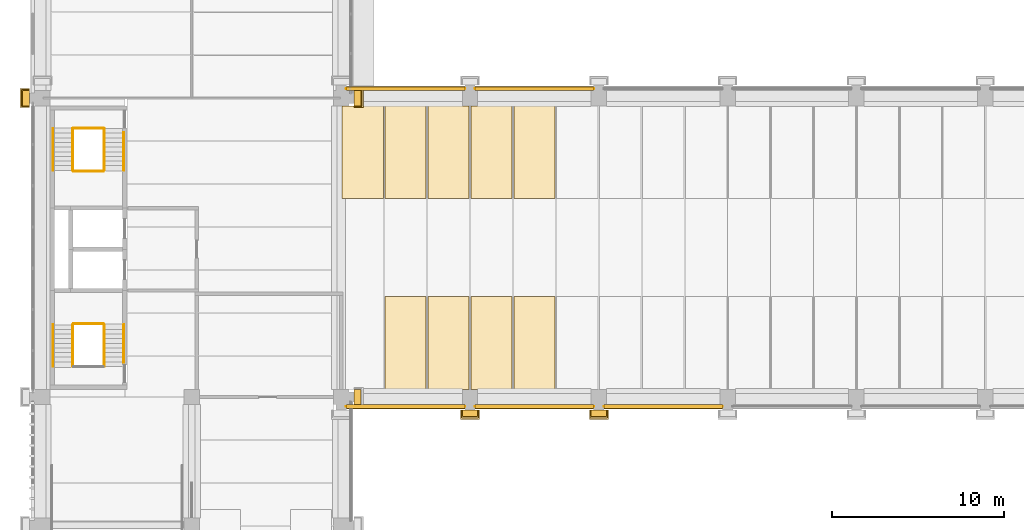
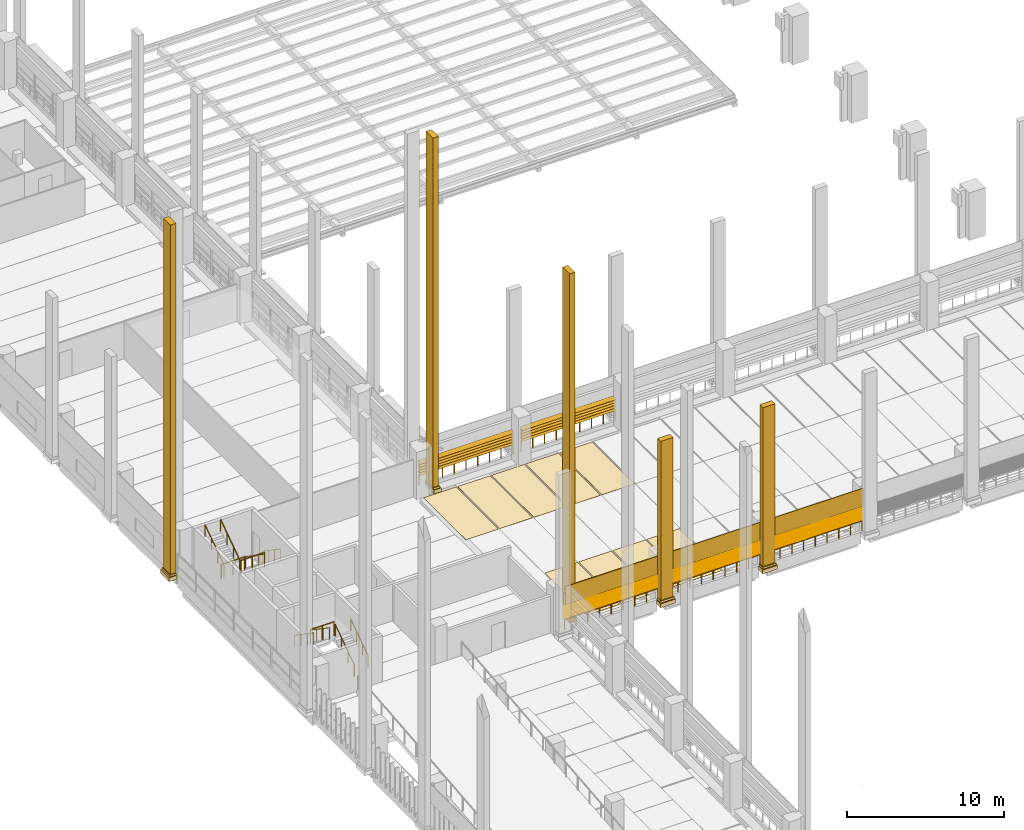
# One storey, part 47 of 67: 25 coverings, 25 shading devices, 16 railings.
"""IFC4 building model written with IfcOpenShell, lengths in metres."""

from ifc_helpers import new_model, si_unit, direction, frame, origin, origin_2d, place, context, subcontext, project, spatial, polyline, circle, outline, extrude, material, layer, layer_set, type_object, element, save


model = new_model("IFC4")

# Units and contexts
model_context = context("Model", 3, precision=1e-05, world=origin(), true_north=direction((0.0, 1.0)))
body_context = subcontext(model_context, "Body", "Model", "MODEL_VIEW")
ifc_project = project(units=[si_unit("LENGTHUNIT", "METRE"), si_unit("AREAUNIT", "SQUARE_METRE"), si_unit("VOLUMEUNIT", "CUBIC_METRE"), si_unit("PLANEANGLEUNIT", "RADIAN"), si_unit("MASSUNIT", "GRAM", prefix="KILO")], contexts=[model_context])

# Site, building, storey
site_placement = place(None, origin())
site = spatial("IfcSite", under=ifc_project, at=site_placement, CompositionType="ELEMENT")
building_placement = place(site_placement, origin())
building = spatial("IfcBuilding", under=site, at=building_placement, Name="Cour d'Honneur Mobility Palace", CompositionType="ELEMENT")
storey_placement = place(building_placement, frame((0.0, 0.0, 4.5)))
storey = spatial("IfcBuildingStorey", under=building, at=storey_placement, Name="L01", CompositionType="ELEMENT", Elevation=4.5)

# Railings
ifc_material_1 = material(Name="Painted steel", Category="steel")
railing_type_1 = type_object("IfcRailingType", Name="Balustrade", PredefinedType="BALUSTRADE", material=ifc_material_1)
for number, where, name in (
    (1, (17.699951171875, 44.449951171875, 0.300048828125), "Balustrade BAL-9"),
    (2, (25.199951171875, 44.449951171875, 0.300048828125), "Balustrade BAL-10"),
    (3, (32.699951171875, 44.449951171875, 0.300048828125), "Balustrade BAL-11"),
):
    element("IfcRailing", number, at=place(storey_placement, frame(where)), inside=storey, type_object=railing_type_1, Name=name, PredefinedType="BALUSTRADE", context=body_context, shape_type="SweptSolid", body=[
        extrude(circle(Radius=0.02392578125, at=origin_2d()), frame((0.0, 0.0, 0.77587890625), z_axis=(1.0, 0.0, 0.0), x_axis=(0.0, 1.0, 0.0)), (0.0, 0.0, 1.0), 6.900146484375),
        extrude(circle(Radius=0.02099609375, at=origin_2d()), origin(), (0.0, 0.0, 1.0), 0.751953125),
        extrude(circle(Radius=0.02099609375, at=origin_2d()), frame((0.862548828125, 0.0, 0.0)), (0.0, 0.0, 1.0), 0.751953125),
        extrude(circle(Radius=0.02099609375, at=origin_2d()), frame((1.72509765625, 0.0, 0.0)), (0.0, 0.0, 1.0), 0.751953125),
        extrude(circle(Radius=0.02099609375, at=origin_2d()), frame((2.587646484375, 0.0, 0.0)), (0.0, 0.0, 1.0), 0.751953125),
        extrude(circle(Radius=0.02099609375, at=origin_2d()), frame((3.4501953125, 0.0, 0.0)), (0.0, 0.0, 1.0), 0.751953125),
        extrude(circle(Radius=0.02099609375, at=origin_2d()), frame((4.3125, 0.0, 0.0)), (0.0, 0.0, 1.0), 0.751953125),
        extrude(circle(Radius=0.02099609375, at=origin_2d()), frame((5.175048828125, 0.0, 0.0)), (0.0, 0.0, 1.0), 0.751953125),
        extrude(circle(Radius=0.02099609375, at=origin_2d()), frame((6.03759765625, 0.0, 0.0)), (0.0, 0.0, 1.0), 0.751953125),
        extrude(circle(Radius=0.02099609375, at=origin_2d()), frame((6.900146484375, 0.0, 0.0)), (0.0, 0.0, 1.0), 0.751953125),
    ])
for number, where, name in (
    (4, (32.10009765625, 62.949951171875, 0.300048828125), "Balustrade BAL-55"),
    (5, (24.60009765625, 62.949951171875, 0.300048828125), "Balustrade BAL-56"),
):
    element("IfcRailing", number, at=place(storey_placement, frame(where)), inside=storey, type_object=railing_type_1, Name=name, PredefinedType="BALUSTRADE", context=body_context, shape_type="SweptSolid", body=[
        extrude(circle(Radius=0.02392578125, at=origin_2d()), frame((0.0, 0.0, 0.77587890625), z_axis=(-1.0, 0.0, 0.0), x_axis=(0.0, -1.0, 0.0)), (0.0, 0.0, 1.0), 6.900146484375),
        extrude(circle(Radius=0.02099609375, at=origin_2d()), origin(), (0.0, 0.0, 1.0), 0.751953125),
        extrude(circle(Radius=0.02099609375, at=origin_2d()), frame((-0.862548828125, 0.0, 0.0)), (0.0, 0.0, 1.0), 0.751953125),
        extrude(circle(Radius=0.02099609375, at=origin_2d()), frame((-1.72509765625, 0.0, 0.0)), (0.0, 0.0, 1.0), 0.751953125),
        extrude(circle(Radius=0.02099609375, at=origin_2d()), frame((-2.587646484375, 0.0, 0.0)), (0.0, 0.0, 1.0), 0.751953125),
        extrude(circle(Radius=0.02099609375, at=origin_2d()), frame((-3.4501953125, 0.0, 0.0)), (0.0, 0.0, 1.0), 0.751953125),
        extrude(circle(Radius=0.02099609375, at=origin_2d()), frame((-4.3125, 0.0, 0.0)), (0.0, 0.0, 1.0), 0.751953125),
        extrude(circle(Radius=0.02099609375, at=origin_2d()), frame((-5.175048828125, 0.0, 0.0)), (0.0, 0.0, 1.0), 0.751953125),
        extrude(circle(Radius=0.02099609375, at=origin_2d()), frame((-6.03759765625, 0.0, 0.0)), (0.0, 0.0, 1.0), 0.751953125),
        extrude(circle(Radius=0.02099609375, at=origin_2d()), frame((-6.900146484375, 0.0, 0.0)), (0.0, 0.0, 1.0), 0.751953125),
    ])
ifc_material_2 = material(Name="Painted steel", Category="steel")
railing_type_2 = type_object("IfcRailingType", Name="Guardrail 1100", PredefinedType="GUARDRAIL", material=ifc_material_2)
for number, where, name in (
    (6, (1.824951171875, 49.264892578125, 1.85009765625), "Landing guard ST-CW1"),
    (7, (1.824951171875, 60.64501953125, 0.0), "Guard ST-CW2"),
    (8, (1.824951171875, 58.135009765625, 1.85009765625), "Landing guard ST-CW2"),
):
    element("IfcRailing", number, at=place(storey_placement, frame(where)), inside=storey, type_object=railing_type_2, Name=name, PredefinedType="GUARDRAIL", context=body_context, shape_type="SweptSolid", body=[
        extrude(circle(Radius=0.02490234375, at=origin_2d()), frame((0.0, 0.0, 1.0751953125), z_axis=(1.0, 0.0, 0.0), x_axis=(0.0, 1.0, 0.0)), (0.0, 0.0, 1.0), 1.72509765625),
        extrude(circle(Radius=0.02099609375, at=origin_2d()), origin(), (0.0, 0.0, 1.0), 1.050048828125),
        extrude(circle(Radius=0.02099609375, at=origin_2d()), frame((0.862548828125, 0.0, 0.0)), (0.0, 0.0, 1.0), 1.050048828125),
        extrude(circle(Radius=0.02099609375, at=origin_2d()), frame((1.72509765625, 0.0, 0.0)), (0.0, 0.0, 1.0), 1.050048828125),
    ])
ifc_material_3 = material(Name="Stainless steel", Category="steel")
railing_type_3 = type_object("IfcRailingType", Name="Handrail round 50", PredefinedType="HANDRAIL", material=ifc_material_3)
railing_1_placement = place(storey_placement, frame((4.75, 47.0, 0.339111328125)))
element("IfcRailing", 9, at=railing_1_placement, inside=storey, type_object=railing_type_3, Name="Handrail ST-CW1", PredefinedType="HANDRAIL", context=body_context, shape_type="SweptSolid", body=[
    extrude(circle(Radius=0.02490234375, at=origin_2d()), frame((0.0, 0.0, 0.89501953125), z_axis=(0.0, 0.824915021957, 0.565256761613), x_axis=(-1.0, 0.0, 0.0)), (0.0, 0.0, 1.0), 2.673095703125),
    extrude(circle(Radius=0.02099609375, at=origin_2d()), origin(), (0.0, 0.0, 1.0), 0.869873046875),
    extrude(circle(Radius=0.02099609375, at=origin_2d()), frame((0.0, 0.735107421875, 0.503662109375)), (0.0, 0.0, 1.0), 0.869873046875),
    extrude(circle(Radius=0.02099609375, at=origin_2d()), frame((0.0, 1.469970703125, 1.00732421875)), (0.0, 0.0, 1.0), 0.869873046875),
    extrude(circle(Radius=0.02099609375, at=origin_2d()), frame((0.0, 2.205078125, 1.510986328125)), (0.0, 0.0, 1.0), 0.869873046875),
])
railing_2_placement = place(storey_placement, frame((3.60009765625, 46.77490234375, 0.18505859375)))
element("IfcRailing", 10, at=railing_2_placement, inside=storey, type_object=railing_type_3, Name="Handrail ST-CW1", PredefinedType="HANDRAIL", context=body_context, shape_type="SweptSolid", body=[
    extrude(circle(Radius=0.02490234375, at=origin_2d()), frame((0.0, 0.0, 0.89501953125), z_axis=(0.0, 0.824945253146, 0.565212640793), x_axis=(-1.0, 0.0, 0.0)), (0.0, 0.0, 1.0), 2.94580078125),
    extrude(circle(Radius=0.02099609375, at=origin_2d()), origin(), (0.0, 0.0, 1.0), 0.869873046875),
    extrude(circle(Radius=0.02099609375, at=origin_2d()), frame((0.0, 0.81005859375, 0.554931640625)), (0.0, 0.0, 1.0), 0.869873046875),
    extrude(circle(Radius=0.02099609375, at=origin_2d()), frame((0.0, 1.6201171875, 1.110107421875)), (0.0, 0.0, 1.0), 0.869873046875),
    extrude(circle(Radius=0.02099609375, at=origin_2d()), frame((0.0, 2.43017578125, 1.6650390625)), (0.0, 0.0, 1.0), 0.869873046875),
])
for number, where, name in (
    (11, (1.77490234375, 49.205078125, 2.034912109375), "Handrail ST-CW1"),
    (12, (0.625, 49.205078125, 2.034912109375), "Handrail ST-CW1"),
):
    element("IfcRailing", number, at=place(storey_placement, frame(where)), inside=storey, type_object=railing_type_3, Name=name, PredefinedType="HANDRAIL", context=body_context, shape_type="SweptSolid", body=[
        extrude(circle(Radius=0.02490234375, at=origin_2d()), frame((0.0, 0.0, 0.89501953125), z_axis=(0.0, -0.824945253146, 0.565212640793), x_axis=(1.0, 0.0, 0.0)), (0.0, 0.0, 1.0), 2.94580078125),
        extrude(circle(Radius=0.02099609375, at=origin_2d()), origin(), (0.0, 0.0, 1.0), 0.869873046875),
        extrude(circle(Radius=0.02099609375, at=origin_2d()), frame((0.0, -0.81005859375, 0.554931640625)), (0.0, 0.0, 1.0), 0.869873046875),
        extrude(circle(Radius=0.02099609375, at=origin_2d()), frame((0.0, -1.6201171875, 1.110107421875)), (0.0, 0.0, 1.0), 0.869873046875),
        extrude(circle(Radius=0.02099609375, at=origin_2d()), frame((0.0, -2.43017578125, 1.6650390625)), (0.0, 0.0, 1.0), 0.869873046875),
    ])
railing_3_placement = place(storey_placement, frame((4.75, 60.39990234375, 0.339111328125)))
element("IfcRailing", 13, at=railing_3_placement, inside=storey, type_object=railing_type_3, Name="Handrail ST-CW2", PredefinedType="HANDRAIL", context=body_context, shape_type="SweptSolid", body=[
    extrude(circle(Radius=0.02490234375, at=origin_2d()), frame((0.0, 0.0, 0.89501953125), z_axis=(0.0, -0.82488583654, 0.565299351384), x_axis=(1.0, 0.0, 0.0)), (0.0, 0.0, 1.0), 2.6728515625),
    extrude(circle(Radius=0.02099609375, at=origin_2d()), origin(), (0.0, 0.0, 1.0), 0.869873046875),
    extrude(circle(Radius=0.02099609375, at=origin_2d()), frame((0.0, -0.73486328125, 0.503662109375)), (0.0, 0.0, 1.0), 0.869873046875),
    extrude(circle(Radius=0.02099609375, at=origin_2d()), frame((0.0, -1.469970703125, 1.00732421875)), (0.0, 0.0, 1.0), 0.869873046875),
    extrude(circle(Radius=0.02099609375, at=origin_2d()), frame((0.0, -2.204833984375, 1.510986328125)), (0.0, 0.0, 1.0), 0.869873046875),
])
railing_4_placement = place(storey_placement, frame((3.60009765625, 60.625, 0.18505859375)))
element("IfcRailing", 14, at=railing_4_placement, inside=storey, type_object=railing_type_3, Name="Handrail ST-CW2", PredefinedType="HANDRAIL", context=body_context, shape_type="SweptSolid", body=[
    extrude(circle(Radius=0.02490234375, at=origin_2d()), frame((0.0, 0.0, 0.89501953125), z_axis=(0.0, -0.8249187745, 0.56525128525), x_axis=(1.0, 0.0, 0.0)), (0.0, 0.0, 1.0), 2.945556640625),
    extrude(circle(Radius=0.02099609375, at=origin_2d()), origin(), (0.0, 0.0, 1.0), 0.869873046875),
    extrude(circle(Radius=0.02099609375, at=origin_2d()), frame((0.0, -0.81005859375, 0.554931640625)), (0.0, 0.0, 1.0), 0.869873046875),
    extrude(circle(Radius=0.02099609375, at=origin_2d()), frame((0.0, -1.619873046875, 1.110107421875)), (0.0, 0.0, 1.0), 0.869873046875),
    extrude(circle(Radius=0.02099609375, at=origin_2d()), frame((0.0, -2.429931640625, 1.6650390625)), (0.0, 0.0, 1.0), 0.869873046875),
])
for number, where, name in (
    (15, (1.77490234375, 58.195068359375, 2.034912109375), "Handrail ST-CW2"),
    (16, (0.625, 58.195068359375, 2.034912109375), "Handrail ST-CW2"),
):
    element("IfcRailing", number, at=place(storey_placement, frame(where)), inside=storey, type_object=railing_type_3, Name=name, PredefinedType="HANDRAIL", context=body_context, shape_type="SweptSolid", body=[
        extrude(circle(Radius=0.02490234375, at=origin_2d()), frame((0.0, 0.0, 0.89501953125), z_axis=(0.0, 0.8249187745, 0.56525128525), x_axis=(-1.0, 0.0, 0.0)), (0.0, 0.0, 1.0), 2.945556640625),
        extrude(circle(Radius=0.02099609375, at=origin_2d()), origin(), (0.0, 0.0, 1.0), 0.869873046875),
        extrude(circle(Radius=0.02099609375, at=origin_2d()), frame((0.0, 0.81005859375, 0.554931640625)), (0.0, 0.0, 1.0), 0.869873046875),
        extrude(circle(Radius=0.02099609375, at=origin_2d()), frame((0.0, 1.619873046875, 1.110107421875)), (0.0, 0.0, 1.0), 0.869873046875),
        extrude(circle(Radius=0.02099609375, at=origin_2d()), frame((0.0, 2.429931640625, 1.6650390625)), (0.0, 0.0, 1.0), 0.869873046875),
    ])

# Coverings
ifc_material_4 = material(Name="Parking marking paint")
ifc_layer_1 = layer(ifc_material_4, 0.0048828125)
ifc_layer_set_1 = layer_set([ifc_layer_1], Name="Parking marking paint")
covering_type_1 = type_object("IfcCoveringType", Name="Parking bay marking", PredefinedType="FLOORING", material=ifc_layer_set_1)
covering_1_placement = place(storey_placement, origin())
element("IfcCovering", 17, at=covering_1_placement, inside=storey, type_object=covering_type_1, Name="Parking bay marking L01 1", PredefinedType="FLOORING", context=body_context, shape_type="SweptSolid", body=[
    extrude(outline(polyline([(19.85009765625, 56.550048828125), (17.449951171875, 56.550048828125), (17.449951171875, 61.949951171875), (19.85009765625, 61.949951171875), (19.85009765625, 56.550048828125)])), origin(), (0.0, 0.0, 1.0), 0.0048828125),
])
covering_2_placement = place(storey_placement, origin())
element("IfcCovering", 18, at=covering_2_placement, inside=storey, type_object=covering_type_1, Name="Parking bay marking L01 11", PredefinedType="FLOORING", context=body_context, shape_type="SweptSolid", body=[
    extrude(outline(polyline([(22.35009765625, 56.550048828125), (19.949951171875, 56.550048828125), (19.949951171875, 61.949951171875), (22.35009765625, 61.949951171875), (22.35009765625, 56.550048828125)])), origin(), (0.0, 0.0, 1.0), 0.0048828125),
])
covering_3_placement = place(storey_placement, origin())
element("IfcCovering", 19, at=covering_3_placement, inside=storey, type_object=covering_type_1, Name="Parking bay marking L01 12", PredefinedType="FLOORING", context=body_context, shape_type="SweptSolid", body=[
    extrude(outline(polyline([(24.85009765625, 56.550048828125), (22.449951171875, 56.550048828125), (22.449951171875, 61.949951171875), (24.85009765625, 61.949951171875), (24.85009765625, 56.550048828125)])), origin(), (0.0, 0.0, 1.0), 0.0048828125),
])
covering_4_placement = place(storey_placement, origin())
element("IfcCovering", 20, at=covering_4_placement, inside=storey, type_object=covering_type_1, Name="Parking bay marking L01 19", PredefinedType="FLOORING", context=body_context, shape_type="SweptSolid", body=[
    extrude(outline(polyline([(27.35009765625, 56.550048828125), (24.949951171875, 56.550048828125), (24.949951171875, 61.949951171875), (27.35009765625, 61.949951171875), (27.35009765625, 56.550048828125)])), origin(), (0.0, 0.0, 1.0), 0.0048828125),
])
covering_5_placement = place(storey_placement, origin())
element("IfcCovering", 21, at=covering_5_placement, inside=storey, type_object=covering_type_1, Name="Parking bay marking L01 30", PredefinedType="FLOORING", context=body_context, shape_type="SweptSolid", body=[
    extrude(outline(polyline([(29.85009765625, 56.550048828125), (27.449951171875, 56.550048828125), (27.449951171875, 61.949951171875), (29.85009765625, 61.949951171875), (29.85009765625, 56.550048828125)])), origin(), (0.0, 0.0, 1.0), 0.0048828125),
])
covering_6_placement = place(storey_placement, origin())
element("IfcCovering", 22, at=covering_6_placement, inside=storey, type_object=covering_type_1, Name="Parking bay marking L01 47", PredefinedType="FLOORING", context=body_context, shape_type="SweptSolid", body=[
    extrude(outline(polyline([(22.35009765625, 45.449951171875), (19.949951171875, 45.449951171875), (19.949951171875, 50.85009765625), (22.35009765625, 50.85009765625), (22.35009765625, 45.449951171875)])), origin(), (0.0, 0.0, 1.0), 0.0048828125),
])
covering_7_placement = place(storey_placement, origin())
element("IfcCovering", 23, at=covering_7_placement, inside=storey, type_object=covering_type_1, Name="Parking bay marking L01 49", PredefinedType="FLOORING", context=body_context, shape_type="SweptSolid", body=[
    extrude(outline(polyline([(24.85009765625, 45.449951171875), (22.449951171875, 45.449951171875), (22.449951171875, 50.85009765625), (24.85009765625, 50.85009765625), (24.85009765625, 45.449951171875)])), origin(), (0.0, 0.0, 1.0), 0.0048828125),
])
covering_8_placement = place(storey_placement, origin())
element("IfcCovering", 24, at=covering_8_placement, inside=storey, type_object=covering_type_1, Name="Parking bay marking L01 58", PredefinedType="FLOORING", context=body_context, shape_type="SweptSolid", body=[
    extrude(outline(polyline([(27.35009765625, 45.449951171875), (24.949951171875, 45.449951171875), (24.949951171875, 50.85009765625), (27.35009765625, 50.85009765625), (27.35009765625, 45.449951171875)])), origin(), (0.0, 0.0, 1.0), 0.0048828125),
])
covering_9_placement = place(storey_placement, origin())
element("IfcCovering", 25, at=covering_9_placement, inside=storey, type_object=covering_type_1, Name="Parking bay marking L01 69", PredefinedType="FLOORING", context=body_context, shape_type="SweptSolid", body=[
    extrude(outline(polyline([(29.85009765625, 45.449951171875), (27.449951171875, 45.449951171875), (27.449951171875, 50.85009765625), (29.85009765625, 50.85009765625), (29.85009765625, 45.449951171875)])), origin(), (0.0, 0.0, 1.0), 0.0048828125),
])
ifc_material_5 = material(Name="Cast limestone", Category="masonry")
ifc_layer_2 = layer(ifc_material_5, 0.14990234375)
ifc_layer_set_2 = layer_set([ifc_layer_2], Name="Cast limestone")
covering_type_2 = type_object("IfcCoveringType", Name="Pilaster base", PredefinedType="CLADDING", material=ifc_layer_set_2)
covering_10_placement = place(storey_placement, frame((0.0, 0.0, 0.10009765625)))
element("IfcCovering", 26, at=covering_10_placement, inside=storey, type_object=covering_type_2, Name="Pilaster base PB-21", PredefinedType="CLADDING", context=body_context, shape_type="SweptSolid", body=[
    extrude(outline(polyline([(24.35009765625, 44.25), (25.449951171875, 44.25), (25.449951171875, 43.699951171875), (24.35009765625, 43.699951171875), (24.35009765625, 44.25)])), origin(), (0.0, 0.0, 1.0), 0.2998046875),
])
covering_11_placement = place(storey_placement, frame((0.0, 0.0, 0.39990234375)))
element("IfcCovering", 27, at=covering_11_placement, inside=storey, type_object=covering_type_2, Name="Pilaster base PB-22", PredefinedType="CLADDING", context=body_context, shape_type="SweptSolid", body=[
    extrude(outline(polyline([(24.39990234375, 44.25), (25.39990234375, 44.25), (25.39990234375, 43.780029296875), (24.39990234375, 43.780029296875), (24.39990234375, 44.25)])), origin(), (0.0, 0.0, 1.0), 0.150146484375),
])
covering_12_placement = place(storey_placement, frame((0.0, 0.0, 0.10009765625)))
element("IfcCovering", 28, at=covering_12_placement, inside=storey, type_object=covering_type_2, Name="Pilaster base PB-23", PredefinedType="CLADDING", context=body_context, shape_type="SweptSolid", body=[
    extrude(outline(polyline([(31.85009765625, 44.25), (32.949951171875, 44.25), (32.949951171875, 43.699951171875), (31.85009765625, 43.699951171875), (31.85009765625, 44.25)])), origin(), (0.0, 0.0, 1.0), 0.2998046875),
])
covering_13_placement = place(storey_placement, frame((0.0, 0.0, 0.39990234375)))
element("IfcCovering", 29, at=covering_13_placement, inside=storey, type_object=covering_type_2, Name="Pilaster base PB-24", PredefinedType="CLADDING", context=body_context, shape_type="SweptSolid", body=[
    extrude(outline(polyline([(31.89990234375, 44.25), (32.89990234375, 44.25), (32.89990234375, 43.780029296875), (31.89990234375, 43.780029296875), (31.89990234375, 44.25)])), origin(), (0.0, 0.0, 1.0), 0.150146484375),
])
covering_14_placement = place(storey_placement, frame((0.0, 0.0, 0.10009765625)))
element("IfcCovering", 30, at=covering_14_placement, inside=storey, type_object=covering_type_2, Name="Pilaster base PB-159", PredefinedType="CLADDING", context=body_context, shape_type="SweptSolid", body=[
    extrude(outline(polyline([(18.14990234375, 61.85009765625), (18.14990234375, 62.949951171875), (18.699951171875, 62.949951171875), (18.699951171875, 61.85009765625), (18.14990234375, 61.85009765625)])), origin(), (0.0, 0.0, 1.0), 0.2998046875),
])
covering_15_placement = place(storey_placement, frame((0.0, 0.0, 0.39990234375)))
element("IfcCovering", 31, at=covering_15_placement, inside=storey, type_object=covering_type_2, Name="Pilaster base PB-160", PredefinedType="CLADDING", context=body_context, shape_type="SweptSolid", body=[
    extrude(outline(polyline([(18.14990234375, 61.89990234375), (18.14990234375, 62.89990234375), (18.6201171875, 62.89990234375), (18.6201171875, 61.89990234375), (18.14990234375, 61.89990234375)])), origin(), (0.0, 0.0, 1.0), 0.150146484375),
])
covering_16_placement = place(storey_placement, frame((0.0, 0.0, 0.10009765625)))
element("IfcCovering", 32, at=covering_16_placement, inside=storey, type_object=covering_type_2, Name="Pilaster base PB-193", PredefinedType="CLADDING", context=body_context, shape_type="SweptSolid", body=[
    extrude(outline(polyline([(-0.75, 62.949951171875), (-0.75, 61.85009765625), (-1.300048828125, 61.85009765625), (-1.300048828125, 62.949951171875), (-0.75, 62.949951171875)])), origin(), (0.0, 0.0, 1.0), 0.2998046875),
])
covering_17_placement = place(storey_placement, frame((0.0, 0.0, 0.39990234375)))
element("IfcCovering", 33, at=covering_17_placement, inside=storey, type_object=covering_type_2, Name="Pilaster base PB-194", PredefinedType="CLADDING", context=body_context, shape_type="SweptSolid", body=[
    extrude(outline(polyline([(-0.75, 62.89990234375), (-0.75, 61.89990234375), (-1.219970703125, 61.89990234375), (-1.219970703125, 62.89990234375), (-0.75, 62.89990234375)])), origin(), (0.0, 0.0, 1.0), 0.150146484375),
])
ifc_material_6 = material(Name="Cast limestone", Category="masonry")
ifc_layer_3 = layer(ifc_material_6, 0.39990234375)
ifc_layer_set_3 = layer_set([ifc_layer_3], Name="Cast limestone")
covering_type_3 = type_object("IfcCoveringType", Name="Pilaster shaft", PredefinedType="CLADDING", material=ifc_layer_set_3)
covering_18_placement = place(storey_placement, frame((0.0, 0.0, 0.550048828125)))
element("IfcCovering", 34, at=covering_18_placement, inside=storey, type_object=covering_type_3, Name="Pilaster shaft PS-9", PredefinedType="CLADDING", context=body_context, shape_type="SweptSolid", body=[
    extrude(outline(polyline([(18.14990234375, 44.550048828125), (18.14990234375, 45.449951171875), (18.550048828125, 45.449951171875), (18.550048828125, 44.550048828125), (18.14990234375, 44.550048828125)])), origin(), (0.0, 0.0, 1.0), 27.14990234375),
])
covering_19_placement = place(storey_placement, frame((0.0, 0.0, 0.550048828125)))
element("IfcCovering", 35, at=covering_19_placement, inside=storey, type_object=covering_type_3, Name="Pilaster shaft PS-11", PredefinedType="CLADDING", context=body_context, shape_type="SweptSolid", body=[
    extrude(outline(polyline([(24.449951171875, 44.25), (25.35009765625, 44.25), (25.35009765625, 43.85009765625), (24.449951171875, 43.85009765625), (24.449951171875, 44.25)])), origin(), (0.0, 0.0, 1.0), 12.349853515625),
])
covering_20_placement = place(storey_placement, frame((0.0, 0.0, 0.550048828125)))
element("IfcCovering", 36, at=covering_20_placement, inside=storey, type_object=covering_type_3, Name="Pilaster shaft PS-12", PredefinedType="CLADDING", context=body_context, shape_type="SweptSolid", body=[
    extrude(outline(polyline([(31.949951171875, 44.25), (32.85009765625, 44.25), (32.85009765625, 43.85009765625), (31.949951171875, 43.85009765625), (31.949951171875, 44.25)])), origin(), (0.0, 0.0, 1.0), 12.349853515625),
])
covering_21_placement = place(storey_placement, frame((0.0, 0.0, 0.550048828125)))
element("IfcCovering", 37, at=covering_21_placement, inside=storey, type_object=covering_type_3, Name="Pilaster shaft PS-80", PredefinedType="CLADDING", context=body_context, shape_type="SweptSolid", body=[
    extrude(outline(polyline([(18.14990234375, 61.949951171875), (18.14990234375, 62.85009765625), (18.550048828125, 62.85009765625), (18.550048828125, 61.949951171875), (18.14990234375, 61.949951171875)])), origin(), (0.0, 0.0, 1.0), 27.14990234375),
])
covering_22_placement = place(storey_placement, frame((0.0, 0.0, 0.550048828125)))
element("IfcCovering", 38, at=covering_22_placement, inside=storey, type_object=covering_type_3, Name="Pilaster shaft PS-97", PredefinedType="CLADDING", context=body_context, shape_type="SweptSolid", body=[
    extrude(outline(polyline([(-0.75, 62.85009765625), (-0.75, 61.949951171875), (-1.14990234375, 61.949951171875), (-1.14990234375, 62.85009765625), (-0.75, 62.85009765625)])), origin(), (0.0, 0.0, 1.0), 27.14990234375),
])
ifc_material_7 = material(Name="Cast limestone", Category="masonry")
ifc_layer_4 = layer(ifc_material_7, 0.25)
ifc_layer_set_4 = layer_set([ifc_layer_4], Name="Cast limestone")
covering_type_4 = type_object("IfcCoveringType", Name="Spandrel cladding", PredefinedType="CLADDING", material=ifc_layer_set_4)
for number, where, z_axis, x_axis, name in (
    (39, (17.699951171875, 44.550048828125, 2.300048828125), (-1.0, 0.0, 0.0), (0.0, -1.0, 0.0), "Spandrel cladding SK-74"),
    (40, (25.199951171875, 44.550048828125, 2.300048828125), (-1.0, 0.0, 0.0), (0.0, -1.0, 0.0), "Spandrel cladding SK-75"),
    (41, (32.699951171875, 44.550048828125, 2.300048828125), (-1.0, 0.0, 0.0), (0.0, -1.0, 0.0), "Spandrel cladding SK-76"),
):
    element("IfcCovering", number, at=place(storey_placement, frame(where, z_axis=z_axis, x_axis=x_axis)), inside=storey, type_object=covering_type_4, Name=name, PredefinedType="CLADDING", context=body_context, shape_type="SweptSolid", body=[
        extrude(outline(polyline([(0.0, 0.0), (0.25, 0.0), (0.25, 1.39990234375), (0.199951171875, 1.39990234375), (0.199951171875, 0.800048828125), (0.0, 0.800048828125), (0.0, 0.0)])), origin(), (0.0, 0.0, -1.0), 6.89990234375),
    ])

# Shading devices
ifc_material_8 = material(Name="Terracotta", Category="masonry")
ifc_layer_5 = layer(ifc_material_8, 0.02490234375)
ifc_layer_set_5 = layer_set([ifc_layer_5], Name="Terracotta")
shading_device_type = type_object("IfcShadingDeviceType", Name="Terracotta louvre blade", PredefinedType="JALOUSIE", material=ifc_layer_set_5)
shading_device_1_placement = place(storey_placement, frame((17.699951171875, 44.55615234375, 1.10009765625), z_axis=(0.0, 0.706699578995, 0.707513749017), x_axis=(1.0, 0.0, 0.0)))
element("IfcShadingDevice", 42, at=shading_device_1_placement, inside=storey, type_object=shading_device_type, Name="Louvre blade LV-1 S2.0 L01 1", PredefinedType="JALOUSIE", context=body_context, shape_type="SweptSolid", body=[
    extrude(outline(polyline([(0.0, 0.0), (6.900146484375, 0.0), (6.900146484375, -0.29986442442957895), (0.0, -0.29986442442957895), (0.0, 0.0)])), origin(), (0.0, 0.0, -1.0), 0.02490234375),
])
for number, where, z_axis, x_axis, name in (
    (43, (17.699951171875, 44.55615234375, 1.31201171875), (0.0, 0.707106781187, 0.707106781187), (1.0, 0.0, 0.0), "Louvre blade LV-1 S2.0 L01 2"),
    (44, (17.699951171875, 44.55615234375, 1.524169921875), (0.0, 0.707106781187, 0.707106781187), (1.0, 0.0, 0.0), "Louvre blade LV-1 S2.0 L01 3"),
    (45, (17.699951171875, 44.55615234375, 1.736328125), (0.0, 0.707106781187, 0.707106781187), (1.0, 0.0, 0.0), "Louvre blade LV-1 S2.0 L01 4"),
    (46, (17.699951171875, 44.55615234375, 1.948486328125), (0.0, 0.707106781187, 0.707106781187), (1.0, 0.0, 0.0), "Louvre blade LV-1 S2.0 L01 5"),
):
    element("IfcShadingDevice", number, at=place(storey_placement, frame(where, z_axis=z_axis, x_axis=x_axis)), inside=storey, type_object=shading_device_type, Name=name, PredefinedType="JALOUSIE", context=body_context, shape_type="SweptSolid", body=[
        extrude(outline(polyline([(0.0, 0.0), (6.900146484375, 0.0), (6.900146484375, -0.300037008228081), (0.0, -0.300037008228081), (0.0, 0.0)])), origin(), (0.0, 0.0, -1.0), 0.02490234375),
    ])
shading_device_2_placement = place(storey_placement, frame((25.199951171875, 44.55615234375, 1.10009765625), z_axis=(0.0, 0.706699578995, 0.707513749017), x_axis=(1.0, 0.0, 0.0)))
element("IfcShadingDevice", 47, at=shading_device_2_placement, inside=storey, type_object=shading_device_type, Name="Louvre blade LV-1 S2.1 L01 1", PredefinedType="JALOUSIE", context=body_context, shape_type="SweptSolid", body=[
    extrude(outline(polyline([(0.0, 0.0), (6.900146484375, 0.0), (6.900146484375, -0.29986442442957895), (0.0, -0.29986442442957895), (0.0, 0.0)])), origin(), (0.0, 0.0, -1.0), 0.02490234375),
])
for number, where, z_axis, x_axis, name in (
    (48, (25.199951171875, 44.55615234375, 1.31201171875), (0.0, 0.707106781187, 0.707106781187), (1.0, 0.0, 0.0), "Louvre blade LV-1 S2.1 L01 2"),
    (49, (25.199951171875, 44.55615234375, 1.524169921875), (0.0, 0.707106781187, 0.707106781187), (1.0, 0.0, 0.0), "Louvre blade LV-1 S2.1 L01 3"),
    (50, (25.199951171875, 44.55615234375, 1.736328125), (0.0, 0.707106781187, 0.707106781187), (1.0, 0.0, 0.0), "Louvre blade LV-1 S2.1 L01 4"),
    (51, (25.199951171875, 44.55615234375, 1.948486328125), (0.0, 0.707106781187, 0.707106781187), (1.0, 0.0, 0.0), "Louvre blade LV-1 S2.1 L01 5"),
):
    element("IfcShadingDevice", number, at=place(storey_placement, frame(where, z_axis=z_axis, x_axis=x_axis)), inside=storey, type_object=shading_device_type, Name=name, PredefinedType="JALOUSIE", context=body_context, shape_type="SweptSolid", body=[
        extrude(outline(polyline([(0.0, 0.0), (6.900146484375, 0.0), (6.900146484375, -0.300037008228081), (0.0, -0.300037008228081), (0.0, 0.0)])), origin(), (0.0, 0.0, -1.0), 0.02490234375),
    ])
shading_device_3_placement = place(storey_placement, frame((32.699951171875, 44.55615234375, 1.10009765625), z_axis=(0.0, 0.706699578995, 0.707513749017), x_axis=(1.0, 0.0, 0.0)))
element("IfcShadingDevice", 52, at=shading_device_3_placement, inside=storey, type_object=shading_device_type, Name="Louvre blade LV-1 S2.2 L01 1", PredefinedType="JALOUSIE", context=body_context, shape_type="SweptSolid", body=[
    extrude(outline(polyline([(0.0, 0.0), (6.900146484375, 0.0), (6.900146484375, -0.29986442442957895), (0.0, -0.29986442442957895), (0.0, 0.0)])), origin(), (0.0, 0.0, -1.0), 0.02490234375),
])
for number, where, z_axis, x_axis, name in (
    (53, (32.699951171875, 44.55615234375, 1.31201171875), (0.0, 0.707106781187, 0.707106781187), (1.0, 0.0, 0.0), "Louvre blade LV-1 S2.2 L01 2"),
    (54, (32.699951171875, 44.55615234375, 1.524169921875), (0.0, 0.707106781187, 0.707106781187), (1.0, 0.0, 0.0), "Louvre blade LV-1 S2.2 L01 3"),
    (55, (32.699951171875, 44.55615234375, 1.736328125), (0.0, 0.707106781187, 0.707106781187), (1.0, 0.0, 0.0), "Louvre blade LV-1 S2.2 L01 4"),
    (56, (32.699951171875, 44.55615234375, 1.948486328125), (0.0, 0.707106781187, 0.707106781187), (1.0, 0.0, 0.0), "Louvre blade LV-1 S2.2 L01 5"),
):
    element("IfcShadingDevice", number, at=place(storey_placement, frame(where, z_axis=z_axis, x_axis=x_axis)), inside=storey, type_object=shading_device_type, Name=name, PredefinedType="JALOUSIE", context=body_context, shape_type="SweptSolid", body=[
        extrude(outline(polyline([(0.0, 0.0), (6.900146484375, 0.0), (6.900146484375, -0.300037008228081), (0.0, -0.300037008228081), (0.0, 0.0)])), origin(), (0.0, 0.0, -1.0), 0.02490234375),
    ])
shading_device_4_placement = place(storey_placement, frame((32.10009765625, 62.843994140625, 1.10009765625), z_axis=(0.0, -0.706699578995, 0.707513749017), x_axis=(-1.0, 0.0, 0.0)))
element("IfcShadingDevice", 57, at=shading_device_4_placement, inside=storey, type_object=shading_device_type, Name="Louvre blade LV-1 N8.15 L01 1", PredefinedType="JALOUSIE", context=body_context, shape_type="SweptSolid", body=[
    extrude(outline(polyline([(0.0, 0.0), (6.900146484375, 0.0), (6.900146484375, -0.29986442442957895), (0.0, -0.29986442442957895), (0.0, 0.0)])), origin(), (0.0, 0.0, -1.0), 0.02490234375),
])
for number, where, z_axis, x_axis, name in (
    (58, (32.10009765625, 62.843994140625, 1.31201171875), (0.0, -0.707106781187, 0.707106781187), (-1.0, 0.0, 0.0), "Louvre blade LV-1 N8.15 L01 2"),
    (59, (32.10009765625, 62.843994140625, 1.524169921875), (0.0, -0.707106781187, 0.707106781187), (-1.0, 0.0, 0.0), "Louvre blade LV-1 N8.15 L01 3"),
    (60, (32.10009765625, 62.843994140625, 1.736328125), (0.0, -0.707106781187, 0.707106781187), (-1.0, 0.0, 0.0), "Louvre blade LV-1 N8.15 L01 4"),
    (61, (32.10009765625, 62.843994140625, 1.948486328125), (0.0, -0.707106781187, 0.707106781187), (-1.0, 0.0, 0.0), "Louvre blade LV-1 N8.15 L01 5"),
):
    element("IfcShadingDevice", number, at=place(storey_placement, frame(where, z_axis=z_axis, x_axis=x_axis)), inside=storey, type_object=shading_device_type, Name=name, PredefinedType="JALOUSIE", context=body_context, shape_type="SweptSolid", body=[
        extrude(outline(polyline([(0.0, 0.0), (6.900146484375, 0.0), (6.900146484375, -0.300037008228081), (0.0, -0.300037008228081), (0.0, 0.0)])), origin(), (0.0, 0.0, -1.0), 0.02490234375),
    ])
shading_device_5_placement = place(storey_placement, frame((24.60009765625, 62.843994140625, 1.10009765625), z_axis=(0.0, -0.706699578995, 0.707513749017), x_axis=(-1.0, 0.0, 0.0)))
element("IfcShadingDevice", 62, at=shading_device_5_placement, inside=storey, type_object=shading_device_type, Name="Louvre blade LV-1 N8.16 L01 1", PredefinedType="JALOUSIE", context=body_context, shape_type="SweptSolid", body=[
    extrude(outline(polyline([(0.0, 0.0), (6.900146484375, 0.0), (6.900146484375, -0.29986442442957895), (0.0, -0.29986442442957895), (0.0, 0.0)])), origin(), (0.0, 0.0, -1.0), 0.02490234375),
])
for number, where, z_axis, x_axis, name in (
    (63, (24.60009765625, 62.843994140625, 1.31201171875), (0.0, -0.707106781187, 0.707106781187), (-1.0, 0.0, 0.0), "Louvre blade LV-1 N8.16 L01 2"),
    (64, (24.60009765625, 62.843994140625, 1.524169921875), (0.0, -0.707106781187, 0.707106781187), (-1.0, 0.0, 0.0), "Louvre blade LV-1 N8.16 L01 3"),
    (65, (24.60009765625, 62.843994140625, 1.736328125), (0.0, -0.707106781187, 0.707106781187), (-1.0, 0.0, 0.0), "Louvre blade LV-1 N8.16 L01 4"),
    (66, (24.60009765625, 62.843994140625, 1.948486328125), (0.0, -0.707106781187, 0.707106781187), (-1.0, 0.0, 0.0), "Louvre blade LV-1 N8.16 L01 5"),
):
    element("IfcShadingDevice", number, at=place(storey_placement, frame(where, z_axis=z_axis, x_axis=x_axis)), inside=storey, type_object=shading_device_type, Name=name, PredefinedType="JALOUSIE", context=body_context, shape_type="SweptSolid", body=[
        extrude(outline(polyline([(0.0, 0.0), (6.900146484375, 0.0), (6.900146484375, -0.300037008228081), (0.0, -0.300037008228081), (0.0, 0.0)])), origin(), (0.0, 0.0, -1.0), 0.02490234375),
    ])

save(model, "model.ifc")
